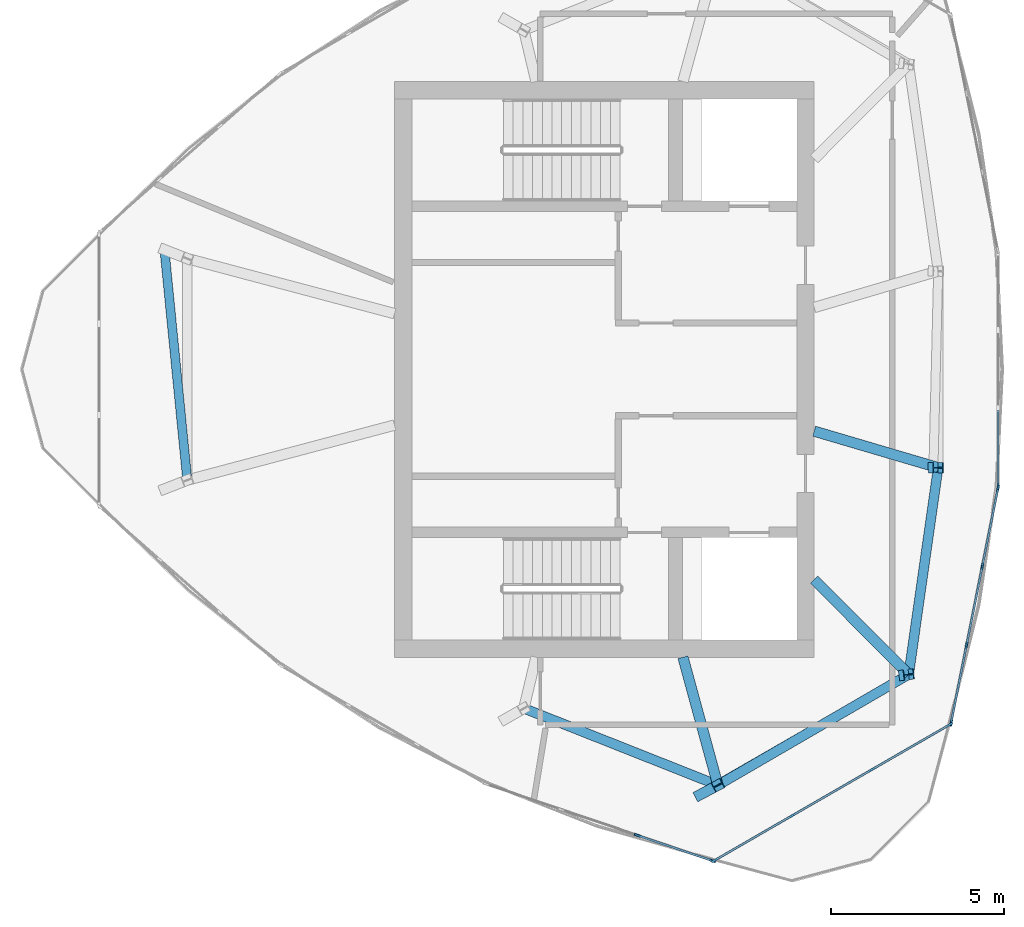
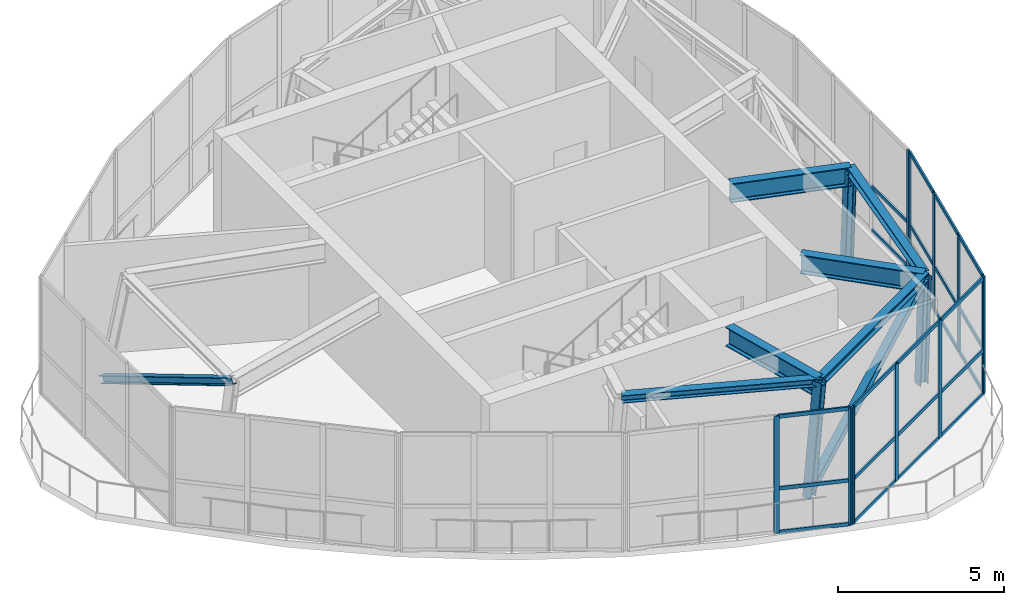
# One storey, part 2 of 9: 42 members, 3 beams, 4 elements without a shape of their own.
"""IFC4 building model written with IfcOpenShell, lengths in metres."""

from ifc_helpers import new_model, si_unit, direction, frame, origin, origin_2d, place, context, subcontext, project, spatial, rectangle, i_section, extrude, source, transform, mapped, material, layer, layer_set, material_profile, profile_set, type_object, element, aggregate, save


model = new_model("IFC4")

# Units and contexts
model_context = context("Model", 3, precision=1e-05, world=origin(), true_north=direction((0.0, 1.0)))
body_context = subcontext(model_context, "Body", "Model", "MODEL_VIEW")
ifc_project = project(units=[si_unit("LENGTHUNIT", "METRE"), si_unit("AREAUNIT", "SQUARE_METRE"), si_unit("VOLUMEUNIT", "CUBIC_METRE"), si_unit("PLANEANGLEUNIT", "RADIAN"), si_unit("MASSUNIT", "GRAM", prefix="KILO")], contexts=[model_context])

# Site, building, storey
site_placement = place(None, origin())
site = spatial("IfcSite", under=ifc_project, at=site_placement, CompositionType="ELEMENT")
building_placement = place(site_placement, origin())
building = spatial("IfcBuilding", under=site, at=building_placement, Name="Qafzar Sky-Pleat Residences", CompositionType="ELEMENT")
storey_placement = place(building_placement, frame((0.0, 0.0, 266.10009765625)))
storey = spatial("IfcBuildingStorey", under=building, at=storey_placement, Name="L79 Crown", CompositionType="ELEMENT", Elevation=266.10009765625)

# Members
ifc_material_1 = material(Name="Steel S460", Category="steel")
ifc_material_profile_1 = material_profile(ifc_material_1, i_section(OverallWidth=0.300048828125, OverallDepth=0.300048828125, WebThickness=0.010986328125, FlangeThickness=0.01904296875, FilletRadius=0.027099609375, at=origin_2d()), Name="HEB 300")
ifc_profile_set_1 = profile_set([ifc_material_profile_1], Name="Steel S460")
member_type_1 = type_object("IfcMemberType", Name="MEM-CROWN-RIB", PredefinedType="CHORD", material=ifc_profile_set_1)
shared_shape_1 = source(origin(), body_context, "Body", "SweptSolid", [
    extrude(i_section(OverallWidth=0.300048828125, OverallDepth=0.300048828125, WebThickness=0.010986328125, FlangeThickness=0.01904296875, FilletRadius=0.027099609375, at=origin_2d()), origin(), (0.0, 0.0, 1.0), 3.898193359375),
])
member_1_placement = place(storey_placement, frame((38.9931640625, 17.187255859375, 0.0), z_axis=(0.033443834759, 0.004133507667, 0.999432050732), x_axis=(-0.122662172065, 0.992448483068, 0.0)))
element("IfcMember", 1, at=member_1_placement, inside=storey, type_object=member_type_1, Name="L79 Crown CROWN FRAME Inclined Rib 6", PredefinedType="CHORD", context=body_context, shape_type="MappedRepresentation", body=[
    mapped(shared_shape_1, transform((0.0, 0.0, 0.0), x_axis=(1.0, 0.0, 0.0), y_axis=(0.0, 1.0, 0.0), z_axis=(0.0, 0.0, 1.0), scale=1.0)),
])
shared_shape_2 = source(origin(), body_context, "Body", "SweptSolid", [
    extrude(i_section(OverallWidth=0.300048828125, OverallDepth=0.300048828125, WebThickness=0.010986328125, FlangeThickness=0.01904296875, FilletRadius=0.027099609375, at=origin_2d()), origin(), (0.0, 0.0, 1.0), 3.8984375),
])
member_2_placement = place(storey_placement, frame((39.837158203125, 23.1640625, 0.0), z_axis=(0.03500797869, 0.0003131304, 0.999386983794), x_axis=(-0.008944186046, 0.999959999968, 0.0)))
element("IfcMember", 2, at=member_2_placement, inside=storey, type_object=member_type_1, Name="L79 Crown CROWN FRAME Inclined Rib 7", PredefinedType="CHORD", context=body_context, shape_type="MappedRepresentation", body=[
    mapped(shared_shape_2, transform((0.0, 0.0, 0.0), x_axis=(1.0, 0.0, 0.0), y_axis=(0.0, 1.0, 0.0), z_axis=(0.0, 0.0, 1.0), scale=1.0)),
])
shared_shape_3 = source(origin(), body_context, "Body", "SweptSolid", [
    extrude(i_section(OverallWidth=0.300048828125, OverallDepth=0.300048828125, WebThickness=0.010986328125, FlangeThickness=0.01904296875, FilletRadius=0.027099609375, at=origin_2d()), origin(), (0.0, 0.0, 1.0), 3.940185546875),
])
member_3_placement = place(storey_placement, frame((33.10400390625, 13.734375, 0.0), z_axis=(0.13191647967, 0.070016731812, 0.988784961282), x_axis=(-0.468821513928, 0.883292923145, 0.0)))
element("IfcMember", 3, at=member_3_placement, inside=storey, type_object=member_type_1, Name="L79 Crown CROWN FRAME Inclined Rib 5", PredefinedType="CHORD", context=body_context, shape_type="MappedRepresentation", body=[
    mapped(shared_shape_3, transform((0.0, 0.0, 0.0), x_axis=(1.0, 0.0, 0.0), y_axis=(0.0, 1.0, 0.0), z_axis=(0.0, 0.0, 1.0), scale=1.0)),
])
ifc_material_2 = material(Name="Steel S355", Category="steel")
ifc_material_profile_2 = material_profile(ifc_material_2, i_section(OverallWidth=0.260009765625, OverallDepth=0.260009765625, WebThickness=0.010009765625, FlangeThickness=0.017578125, FilletRadius=0.02392578125, at=origin_2d()), Name="HEB 260")
ifc_profile_set_2 = profile_set([ifc_material_profile_2], Name="Steel S355")
member_type_2 = type_object("IfcMemberType", Name="MEM-CROWN-DIAG", PredefinedType="BRACE", material=ifc_profile_set_2)
shared_shape_4 = source(origin(), body_context, "Body", "SweptSolid", [
    extrude(i_section(OverallWidth=0.260009765625, OverallDepth=0.260009765625, WebThickness=0.010009765625, FlangeThickness=0.017578125, FilletRadius=0.02392578125, at=origin_2d()), origin(), (0.0, 0.0, 1.0), 7.638916015625),
])
member_4_placement = place(storey_placement, frame((17.668212890625, 29.448974609375, 0.199951171875), z_axis=(0.086100873156, -0.869446233607, 0.486466737308), x_axis=(0.995132346822, 0.098547512952, 0.0)))
element("IfcMember", 4, at=member_4_placement, inside=storey, type_object=member_type_2, Name="L79 Crown CROWN FRAME Wind Brace 1", PredefinedType="BRACE", context=body_context, shape_type="MappedRepresentation", body=[
    mapped(shared_shape_4, transform((0.0, 0.0, 0.0), x_axis=(1.0, 0.0, 0.0), y_axis=(0.0, 1.0, 0.0), z_axis=(0.0, 0.0, 1.0), scale=1.0)),
])
ifc_material_profile_3 = material_profile(ifc_material_2, i_section(OverallWidth=0.280029296875, OverallDepth=0.280029296875, WebThickness=0.010498046875, FlangeThickness=0.01806640625, FilletRadius=0.02392578125, at=origin_2d()), Name="HEB 280")
ifc_profile_set_3 = profile_set([ifc_material_profile_3], Name="Steel S355")
member_type_3 = type_object("IfcMemberType", Name="MEM-CROWN-RING", PredefinedType="PURLIN", material=ifc_profile_set_3)
shared_shape_5 = source(origin(), body_context, "Body", "SweptSolid", [
    extrude(i_section(OverallWidth=0.280029296875, OverallDepth=0.280029296875, WebThickness=0.010498046875, FlangeThickness=0.01806640625, FilletRadius=0.02392578125, at=origin_2d()), origin(), (0.0, 0.0, 1.0), 6.017333984375),
])
member_5_placement = place(storey_placement, frame((28.029541015625, 16.226806640625, 3.906005859375), z_axis=(0.929683335589, -0.368359736572, 0.0), x_axis=(0.368359736572, 0.929683335589, 0.0)))
element("IfcMember", 5, at=member_5_placement, inside=storey, type_object=member_type_3, Name="L79 Crown CROWN FRAME Ring Beam 4", PredefinedType="PURLIN", context=body_context, shape_type="MappedRepresentation", body=[
    mapped(shared_shape_5, transform((0.0, 0.0, 0.0), x_axis=(1.0, 0.0, 0.0), y_axis=(0.0, 1.0, 0.0), z_axis=(0.0, 0.0, 1.0), scale=1.0)),
])
shared_shape_6 = source(origin(), body_context, "Body", "SweptSolid", [
    extrude(i_section(OverallWidth=0.280029296875, OverallDepth=0.280029296875, WebThickness=0.010498046875, FlangeThickness=0.01806640625, FilletRadius=0.02392578125, at=origin_2d()), origin(), (0.0, 0.0, 1.0), 6.359619140625),
])
member_6_placement = place(storey_placement, frame((33.623779296875, 14.01025390625, 3.906005859375), z_axis=(0.864808842943, 0.502101249916, 0.0), x_axis=(-0.502101249916, 0.864808842943, 0.0)))
element("IfcMember", 6, at=member_6_placement, inside=storey, type_object=member_type_3, Name="L79 Crown CROWN FRAME Ring Beam 5", PredefinedType="PURLIN", context=body_context, shape_type="MappedRepresentation", body=[
    mapped(shared_shape_6, transform((0.0, 0.0, 0.0), x_axis=(1.0, 0.0, 0.0), y_axis=(0.0, 1.0, 0.0), z_axis=(0.0, 0.0, 1.0), scale=1.0)),
])
shared_shape_7 = source(origin(), body_context, "Body", "SweptSolid", [
    extrude(i_section(OverallWidth=0.260009765625, OverallDepth=0.260009765625, WebThickness=0.010009765625, FlangeThickness=0.017578125, FilletRadius=0.02392578125, at=origin_2d()), origin(), (0.0, 0.0, 1.0), 7.87890625),
])
member_7_placement = place(storey_placement, frame((33.10400390625, 13.734375, 0.199951171875), z_axis=(0.76400196101, 0.440286496755, 0.471644786199), x_axis=(-0.49931069602, 0.866423008028, 0.0)))
element("IfcMember", 7, at=member_7_placement, inside=storey, type_object=member_type_2, Name="L79 Crown CROWN FRAME Wind Brace 5", PredefinedType="BRACE", context=body_context, shape_type="MappedRepresentation", body=[
    mapped(shared_shape_7, transform((0.0, 0.0, 0.0), x_axis=(1.0, 0.0, 0.0), y_axis=(0.0, 1.0, 0.0), z_axis=(0.0, 0.0, 1.0), scale=1.0)),
])
shared_shape_8 = source(origin(), body_context, "Body", "SweptSolid", [
    extrude(i_section(OverallWidth=0.280029296875, OverallDepth=0.280029296875, WebThickness=0.010498046875, FlangeThickness=0.01806640625, FilletRadius=0.02392578125, at=origin_2d()), origin(), (0.0, 0.0, 1.0), 6.022216796875),
])
member_8_placement = place(storey_placement, frame((39.12353515625, 17.203369140625, 3.906005859375), z_axis=(0.141160273731, 0.989986756033, 0.0), x_axis=(-0.989986756033, 0.141160273731, 0.0)))
element("IfcMember", 8, at=member_8_placement, inside=storey, type_object=member_type_3, Name="L79 Crown CROWN FRAME Ring Beam 6", PredefinedType="PURLIN", context=body_context, shape_type="MappedRepresentation", body=[
    mapped(shared_shape_8, transform((0.0, 0.0, 0.0), x_axis=(1.0, 0.0, 0.0), y_axis=(0.0, 1.0, 0.0), z_axis=(0.0, 0.0, 1.0), scale=1.0)),
])

# Beams
ifc_material_profile_4 = material_profile(ifc_material_1, i_section(OverallWidth=0.300048828125, OverallDepth=0.699951171875, WebThickness=0.01708984375, FlangeThickness=0.031982421875, FilletRadius=0.027099609375, at=origin_2d()), Name="HEB 700")
ifc_profile_set_4 = profile_set([ifc_material_profile_4], Name="Steel S460")
beam_type = type_object("IfcBeamType", Name="BM-CHORD-HEB700", PredefinedType="BEAM", material=ifc_profile_set_4)
shared_shape_9 = source(origin(), body_context, "Body", "SweptSolid", [
    extrude(i_section(OverallWidth=0.300048828125, OverallDepth=0.699951171875, WebThickness=0.01708984375, FlangeThickness=0.031982421875, FilletRadius=0.027099609375, at=origin_2d()), origin(), (0.0, 0.0, 1.0), 3.82470703125),
])
beam_1_placement = place(storey_placement, frame((33.623779296875, 14.01025390625, 3.697998046875), z_axis=(-0.263430654969, 0.964678335002, 0.0), x_axis=(-0.964678335002, -0.263430654969, 0.0)))
element("IfcBeam", 9, at=beam_1_placement, inside=storey, type_object=beam_type, Name="L80 Crown Crown Rib Base Transfer Beam 5", PredefinedType="BEAM", context=body_context, shape_type="MappedRepresentation", body=[
    mapped(shared_shape_9, transform((0.0, 0.0, 0.0), x_axis=(1.0, 0.0, 0.0), y_axis=(0.0, 1.0, 0.0), z_axis=(0.0, 0.0, 1.0), scale=1.0)),
])
shared_shape_10 = source(origin(), body_context, "Body", "SweptSolid", [
    extrude(i_section(OverallWidth=0.300048828125, OverallDepth=0.699951171875, WebThickness=0.01708984375, FlangeThickness=0.031982421875, FilletRadius=0.027099609375, at=origin_2d()), origin(), (0.0, 0.0, 1.0), 3.856689453125),
])
beam_2_placement = place(storey_placement, frame((39.12353515625, 17.203369140625, 3.697998046875), z_axis=(-0.706188317892, 0.708024053032, 0.0), x_axis=(-0.708024053032, -0.706188317892, 0.0)))
element("IfcBeam", 10, at=beam_2_placement, inside=storey, type_object=beam_type, Name="L80 Crown Crown Rib Base Transfer Beam 6", PredefinedType="BEAM", context=body_context, shape_type="MappedRepresentation", body=[
    mapped(shared_shape_10, transform((0.0, 0.0, 0.0), x_axis=(1.0, 0.0, 0.0), y_axis=(0.0, 1.0, 0.0), z_axis=(0.0, 0.0, 1.0), scale=1.0)),
])
shared_shape_11 = source(origin(), body_context, "Body", "SweptSolid", [
    extrude(i_section(OverallWidth=0.300048828125, OverallDepth=0.699951171875, WebThickness=0.01708984375, FlangeThickness=0.031982421875, FilletRadius=0.027099609375, at=origin_2d()), origin(), (0.0, 0.0, 1.0), 3.7255859375),
])
beam_3_placement = place(storey_placement, frame((39.9736328125, 23.165283203125, 3.697998046875), z_axis=(-0.95924645831, 0.28257075613, 0.0), x_axis=(-0.28257075613, -0.95924645831, 0.0)))
element("IfcBeam", 11, at=beam_3_placement, inside=storey, type_object=beam_type, Name="L80 Crown Crown Rib Base Transfer Beam 7", PredefinedType="BEAM", context=body_context, shape_type="MappedRepresentation", body=[
    mapped(shared_shape_11, transform((0.0, 0.0, 0.0), x_axis=(1.0, 0.0, 0.0), y_axis=(0.0, 1.0, 0.0), z_axis=(0.0, 0.0, 1.0), scale=1.0)),
])

# Curtain wall, members
ifc_material_3 = material(Name="Anodised bronze aluminium framing", Category="aluminium")
ifc_layer = layer(ifc_material_3, 0.179931640625)
ifc_layer_set = layer_set([ifc_layer], Name="Anodised bronze aluminium framing")
curtain_wall_type = type_object("IfcCurtainWallType", Name="CW-SYS-06", PredefinedType="NOTDEFINED", material=ifc_layer_set)
curtain_wall_1_placement = place(storey_placement, origin())
curtain_wall_1 = element("IfcCurtainWall", 12, at=curtain_wall_1_placement, inside=storey, type_object=curtain_wall_type, Name="L79 Crown CW-06 Curtain Wall CW-CROWN-04-04", PredefinedType="NOTDEFINED")
ifc_material_4 = material(Name="Anodised bronze aluminium", Category="aluminium")
ifc_material_profile_5 = material_profile(ifc_material_4, rectangle(XDim=0.06005859375, YDim=0.179931640625, at=origin_2d()), Name="ALU MULLION 60x180")
ifc_profile_set_5 = profile_set([ifc_material_profile_5], Name="Anodised bronze aluminium")
member_type_4 = type_object("IfcMemberType", Name="CWM-06", PredefinedType="MULLION", material=ifc_profile_set_5)
shared_shape_12 = source(origin(), body_context, "Body", "SweptSolid", [
    extrude(rectangle(XDim=0.06005859375, YDim=0.179931640625, at=origin_2d()), origin(), (0.0, 0.0, 1.0), 4.2998046875),
])
member_9_placement = place(storey_placement, frame((31.299072265625, 12.56640625, 0.0), z_axis=(0.0, 0.0, 1.0), x_axis=(0.320445261328, 0.947267034417, 0.0)))
member_9 = element("IfcMember", 13, at=member_9_placement, type_object=member_type_4, Name="CW-06 mullion 3", PredefinedType="MULLION", context=body_context, shape_type="MappedRepresentation", body=[
    mapped(shared_shape_12, transform((0.0, 0.0, 0.0), x_axis=(1.0, 0.0, 0.0), y_axis=(0.0, 1.0, 0.0), z_axis=(0.0, 0.0, 1.0), scale=1.0)),
])
member_10_placement = place(storey_placement, frame((33.465576171875, 11.83349609375, 0.0), z_axis=(0.0, 0.0, 1.0), x_axis=(0.320445261328, 0.947267034417, 0.0)))
member_10 = element("IfcMember", 14, at=member_10_placement, type_object=member_type_4, Name="CW-06 mullion 4", PredefinedType="MULLION", context=body_context, shape_type="MappedRepresentation", body=[
    mapped(shared_shape_12, transform((0.0, 0.0, 0.0), x_axis=(1.0, 0.0, 0.0), y_axis=(0.0, 1.0, 0.0), z_axis=(0.0, 0.0, 1.0), scale=1.0)),
])

curtain_wall_2_placement = place(storey_placement, origin())
curtain_wall_2 = element("IfcCurtainWall", 15, at=curtain_wall_2_placement, inside=storey, type_object=curtain_wall_type, Name="L79 Crown CW-06 Curtain Wall CW-CROWN-04-05", PredefinedType="NOTDEFINED")
member_11_placement = place(storey_placement, frame((33.52001953125, 11.8388671875, 0.0), z_axis=(0.0, 0.0, 1.0), x_axis=(-0.500001400555, 0.866024595172, 0.0)))
member_11 = element("IfcMember", 16, at=member_11_placement, type_object=member_type_4, Name="CW-06 mullion 1", PredefinedType="MULLION", context=body_context, shape_type="MappedRepresentation", body=[
    mapped(shared_shape_12, transform((0.0, 0.0, 0.0), x_axis=(1.0, 0.0, 0.0), y_axis=(0.0, 1.0, 0.0), z_axis=(0.0, 0.0, 1.0), scale=1.0)),
])
member_12_placement = place(storey_placement, frame((35.775390625, 13.140869140625, 0.0), z_axis=(0.0, 0.0, 1.0), x_axis=(-0.500001400555, 0.866024595172, 0.0)))
member_12 = element("IfcMember", 17, at=member_12_placement, type_object=member_type_4, Name="CW-06 mullion 2", PredefinedType="MULLION", context=body_context, shape_type="MappedRepresentation", body=[
    mapped(shared_shape_12, transform((0.0, 0.0, 0.0), x_axis=(1.0, 0.0, 0.0), y_axis=(0.0, 1.0, 0.0), z_axis=(0.0, 0.0, 1.0), scale=1.0)),
])
member_13_placement = place(storey_placement, frame((38.056640625, 14.4580078125, 0.0), z_axis=(0.0, 0.0, 1.0), x_axis=(-0.500001400555, 0.866024595172, 0.0)))
member_13 = element("IfcMember", 18, at=member_13_placement, type_object=member_type_4, Name="CW-06 mullion 3", PredefinedType="MULLION", context=body_context, shape_type="MappedRepresentation", body=[
    mapped(shared_shape_12, transform((0.0, 0.0, 0.0), x_axis=(1.0, 0.0, 0.0), y_axis=(0.0, 1.0, 0.0), z_axis=(0.0, 0.0, 1.0), scale=1.0)),
])
member_14_placement = place(storey_placement, frame((40.31201171875, 15.76025390625, 0.0), z_axis=(0.0, 0.0, 1.0), x_axis=(-0.500001400555, 0.866024595172, 0.0)))
member_14 = element("IfcMember", 19, at=member_14_placement, type_object=member_type_4, Name="CW-06 mullion 4", PredefinedType="MULLION", context=body_context, shape_type="MappedRepresentation", body=[
    mapped(shared_shape_12, transform((0.0, 0.0, 0.0), x_axis=(1.0, 0.0, 0.0), y_axis=(0.0, 1.0, 0.0), z_axis=(0.0, 0.0, 1.0), scale=1.0)),
])

curtain_wall_3_placement = place(storey_placement, origin())
curtain_wall_3 = element("IfcCurtainWall", 20, at=curtain_wall_3_placement, inside=storey, type_object=curtain_wall_type, Name="L79 Crown CW-06 Curtain Wall CW-CROWN-04-06", PredefinedType="NOTDEFINED")
member_15_placement = place(storey_placement, frame((40.343994140625, 15.8046875, 0.0), z_axis=(0.0, 0.0, 1.0), x_axis=(-0.980580675691, 0.196116135138, 0.0)))
member_15 = element("IfcMember", 21, at=member_15_placement, type_object=member_type_4, Name="CW-06 mullion 1", PredefinedType="MULLION", context=body_context, shape_type="MappedRepresentation", body=[
    mapped(shared_shape_12, transform((0.0, 0.0, 0.0), x_axis=(1.0, 0.0, 0.0), y_axis=(0.0, 1.0, 0.0), z_axis=(0.0, 0.0, 1.0), scale=1.0)),
])
member_16_placement = place(storey_placement, frame((40.79248046875, 18.04736328125, 0.0), z_axis=(0.0, 0.0, 1.0), x_axis=(-0.980580675691, 0.196116135138, 0.0)))
member_16 = element("IfcMember", 22, at=member_16_placement, type_object=member_type_4, Name="CW-06 mullion 2", PredefinedType="MULLION", context=body_context, shape_type="MappedRepresentation", body=[
    mapped(shared_shape_12, transform((0.0, 0.0, 0.0), x_axis=(1.0, 0.0, 0.0), y_axis=(0.0, 1.0, 0.0), z_axis=(0.0, 0.0, 1.0), scale=1.0)),
])
member_17_placement = place(storey_placement, frame((41.246826171875, 20.319580078125, 0.0), z_axis=(0.0, 0.0, 1.0), x_axis=(-0.980580675691, 0.196116135138, 0.0)))
member_17 = element("IfcMember", 23, at=member_17_placement, type_object=member_type_4, Name="CW-06 mullion 3", PredefinedType="MULLION", context=body_context, shape_type="MappedRepresentation", body=[
    mapped(shared_shape_12, transform((0.0, 0.0, 0.0), x_axis=(1.0, 0.0, 0.0), y_axis=(0.0, 1.0, 0.0), z_axis=(0.0, 0.0, 1.0), scale=1.0)),
])
member_18_placement = place(storey_placement, frame((41.6953125, 22.562255859375, 0.0), z_axis=(0.0, 0.0, 1.0), x_axis=(-0.980580675691, 0.196116135138, 0.0)))
member_18 = element("IfcMember", 24, at=member_18_placement, type_object=member_type_4, Name="CW-06 mullion 4", PredefinedType="MULLION", context=body_context, shape_type="MappedRepresentation", body=[
    mapped(shared_shape_12, transform((0.0, 0.0, 0.0), x_axis=(1.0, 0.0, 0.0), y_axis=(0.0, 1.0, 0.0), z_axis=(0.0, 0.0, 1.0), scale=1.0)),
])

# Curtain wall, member
curtain_wall_4_placement = place(storey_placement, origin())
curtain_wall_4 = element("IfcCurtainWall", 25, at=curtain_wall_4_placement, inside=storey, type_object=curtain_wall_type, Name="L79 Crown CW-06 Curtain Wall CW-CROWN-04-07", PredefinedType="NOTDEFINED")
member_19_placement = place(storey_placement, frame((41.701416015625, 22.62158203125, 0.0), z_axis=(0.0, 0.0, 1.0), x_axis=(-1.0, 0.0, 0.0)))
member_19 = element("IfcMember", 26, at=member_19_placement, type_object=member_type_4, Name="CW-06 mullion 1", PredefinedType="MULLION", context=body_context, shape_type="MappedRepresentation", body=[
    mapped(shared_shape_12, transform((0.0, 0.0, 0.0), x_axis=(1.0, 0.0, 0.0), y_axis=(0.0, 1.0, 0.0), z_axis=(0.0, 0.0, 1.0), scale=1.0)),
])

# Member
ifc_material_profile_6 = material_profile(ifc_material_4, rectangle(XDim=0.06005859375, YDim=0.135009765625, at=origin_2d()), Name="ALU TRANSOM 60x135")
ifc_profile_set_6 = profile_set([ifc_material_profile_6], Name="Anodised bronze aluminium")
member_type_5 = type_object("IfcMemberType", Name="CWT-06", PredefinedType="USERDEFINED", material=ifc_profile_set_6)
shared_shape_13 = source(origin(), body_context, "Body", "SweptSolid", [
    extrude(rectangle(XDim=0.06005859375, YDim=0.135009765625, at=origin_2d()), origin(), (0.0, 0.0, 1.0), 2.544189453125),
])
member_20_placement = place(storey_placement, frame((33.5458984375, 11.853759765625, 0.02978515625), z_axis=(0.866008208854, 0.500029781311, 0.0), x_axis=(-0.500029781311, 0.866008208854, 0.0)))
member_20 = element("IfcMember", 27, at=member_20_placement, type_object=member_type_5, Name="CW-06 transom 1.1", ObjectType="TRANSOM", PredefinedType="USERDEFINED", context=body_context, shape_type="MappedRepresentation", body=[
    mapped(shared_shape_13, transform((0.0, 0.0, 0.0), x_axis=(1.0, 0.0, 0.0), y_axis=(0.0, 1.0, 0.0), z_axis=(0.0, 0.0, 1.0), scale=1.0)),
])

member_21_placement = place(storey_placement, frame((33.5458984375, 11.853759765625, 1.6337890625), z_axis=(0.866008208854, 0.500029781311, 0.0), x_axis=(-0.500029781311, 0.866008208854, 0.0)))
member_21 = element("IfcMember", 28, at=member_21_placement, type_object=member_type_5, Name="CW-06 transom 1.2", ObjectType="TRANSOM", PredefinedType="USERDEFINED", context=body_context, shape_type="MappedRepresentation", body=[
    mapped(shared_shape_13, transform((0.0, 0.0, 0.0), x_axis=(1.0, 0.0, 0.0), y_axis=(0.0, 1.0, 0.0), z_axis=(0.0, 0.0, 1.0), scale=1.0)),
])

member_22_placement = place(storey_placement, frame((33.5458984375, 11.853759765625, 4.27001953125), z_axis=(0.866008208854, 0.500029781311, 0.0), x_axis=(-0.500029781311, 0.866008208854, 0.0)))
member_22 = element("IfcMember", 29, at=member_22_placement, type_object=member_type_5, Name="CW-06 transom 1.3", ObjectType="TRANSOM", PredefinedType="USERDEFINED", context=body_context, shape_type="MappedRepresentation", body=[
    mapped(shared_shape_13, transform((0.0, 0.0, 0.0), x_axis=(1.0, 0.0, 0.0), y_axis=(0.0, 1.0, 0.0), z_axis=(0.0, 0.0, 1.0), scale=1.0)),
])

member_23_placement = place(storey_placement, frame((38.082763671875, 14.47314453125, 0.02978515625), z_axis=(0.866049759928, 0.499957811549, 0.0), x_axis=(-0.499957811549, 0.866049759928, 0.0)))
member_23 = element("IfcMember", 30, at=member_23_placement, type_object=member_type_5, Name="CW-06 transom 3.1", ObjectType="TRANSOM", PredefinedType="USERDEFINED", context=body_context, shape_type="MappedRepresentation", body=[
    mapped(shared_shape_13, transform((0.0, 0.0, 0.0), x_axis=(1.0, 0.0, 0.0), y_axis=(0.0, 1.0, 0.0), z_axis=(0.0, 0.0, 1.0), scale=1.0)),
])

member_24_placement = place(storey_placement, frame((38.082763671875, 14.47314453125, 1.6337890625), z_axis=(0.866049759928, 0.499957811549, 0.0), x_axis=(-0.499957811549, 0.866049759928, 0.0)))
member_24 = element("IfcMember", 31, at=member_24_placement, type_object=member_type_5, Name="CW-06 transom 3.2", ObjectType="TRANSOM", PredefinedType="USERDEFINED", context=body_context, shape_type="MappedRepresentation", body=[
    mapped(shared_shape_13, transform((0.0, 0.0, 0.0), x_axis=(1.0, 0.0, 0.0), y_axis=(0.0, 1.0, 0.0), z_axis=(0.0, 0.0, 1.0), scale=1.0)),
])

member_25_placement = place(storey_placement, frame((38.082763671875, 14.47314453125, 4.27001953125), z_axis=(0.866049759928, 0.499957811549, 0.0), x_axis=(-0.499957811549, 0.866049759928, 0.0)))
member_25 = element("IfcMember", 32, at=member_25_placement, type_object=member_type_5, Name="CW-06 transom 3.3", ObjectType="TRANSOM", PredefinedType="USERDEFINED", context=body_context, shape_type="MappedRepresentation", body=[
    mapped(shared_shape_13, transform((0.0, 0.0, 0.0), x_axis=(1.0, 0.0, 0.0), y_axis=(0.0, 1.0, 0.0), z_axis=(0.0, 0.0, 1.0), scale=1.0)),
])

shared_shape_14 = source(origin(), body_context, "Body", "SweptSolid", [
    extrude(rectangle(XDim=0.06005859375, YDim=0.135009765625, at=origin_2d()), origin(), (0.0, 0.0, 1.0), 2.227294921875),
])
member_26_placement = place(storey_placement, frame((31.327392578125, 12.556640625, 0.02978515625), z_axis=(0.947282011009, -0.320400985672, 0.0), x_axis=(0.320400985672, 0.947282011009, 0.0)))
member_26 = element("IfcMember", 33, at=member_26_placement, type_object=member_type_5, Name="CW-06 transom 3.1", ObjectType="TRANSOM", PredefinedType="USERDEFINED", context=body_context, shape_type="MappedRepresentation", body=[
    mapped(shared_shape_14, transform((0.0, 0.0, 0.0), x_axis=(1.0, 0.0, 0.0), y_axis=(0.0, 1.0, 0.0), z_axis=(0.0, 0.0, 1.0), scale=1.0)),
])

member_27_placement = place(storey_placement, frame((31.327392578125, 12.556640625, 1.6337890625), z_axis=(0.947282011009, -0.320400985672, 0.0), x_axis=(0.320400985672, 0.947282011009, 0.0)))
member_27 = element("IfcMember", 34, at=member_27_placement, type_object=member_type_5, Name="CW-06 transom 3.2", ObjectType="TRANSOM", PredefinedType="USERDEFINED", context=body_context, shape_type="MappedRepresentation", body=[
    mapped(shared_shape_14, transform((0.0, 0.0, 0.0), x_axis=(1.0, 0.0, 0.0), y_axis=(0.0, 1.0, 0.0), z_axis=(0.0, 0.0, 1.0), scale=1.0)),
])

member_28_placement = place(storey_placement, frame((31.327392578125, 12.556640625, 4.27001953125), z_axis=(0.947282011009, -0.320400985672, 0.0), x_axis=(0.320400985672, 0.947282011009, 0.0)))
member_28 = element("IfcMember", 35, at=member_28_placement, type_object=member_type_5, Name="CW-06 transom 3.3", ObjectType="TRANSOM", PredefinedType="USERDEFINED", context=body_context, shape_type="MappedRepresentation", body=[
    mapped(shared_shape_14, transform((0.0, 0.0, 0.0), x_axis=(1.0, 0.0, 0.0), y_axis=(0.0, 1.0, 0.0), z_axis=(0.0, 0.0, 1.0), scale=1.0)),
])

aggregate(curtain_wall_1, [member_9, member_10, member_26, member_27, member_28])

member_29_placement = place(storey_placement, frame((40.349853515625, 15.833984375, 0.02978515625), z_axis=(0.196095055949, 0.980584891293, 0.0), x_axis=(-0.980584891293, 0.196095055949, 0.0)))
member_29 = element("IfcMember", 36, at=member_29_placement, type_object=member_type_5, Name="CW-06 transom 1.1", ObjectType="TRANSOM", PredefinedType="USERDEFINED", context=body_context, shape_type="MappedRepresentation", body=[
    mapped(shared_shape_14, transform((0.0, 0.0, 0.0), x_axis=(1.0, 0.0, 0.0), y_axis=(0.0, 1.0, 0.0), z_axis=(0.0, 0.0, 1.0), scale=1.0)),
])

member_30_placement = place(storey_placement, frame((40.349853515625, 15.833984375, 1.6337890625), z_axis=(0.196095055949, 0.980584891293, 0.0), x_axis=(-0.980584891293, 0.196095055949, 0.0)))
member_30 = element("IfcMember", 37, at=member_30_placement, type_object=member_type_5, Name="CW-06 transom 1.2", ObjectType="TRANSOM", PredefinedType="USERDEFINED", context=body_context, shape_type="MappedRepresentation", body=[
    mapped(shared_shape_14, transform((0.0, 0.0, 0.0), x_axis=(1.0, 0.0, 0.0), y_axis=(0.0, 1.0, 0.0), z_axis=(0.0, 0.0, 1.0), scale=1.0)),
])

member_31_placement = place(storey_placement, frame((40.349853515625, 15.833984375, 4.27001953125), z_axis=(0.196095055949, 0.980584891293, 0.0), x_axis=(-0.980584891293, 0.196095055949, 0.0)))
member_31 = element("IfcMember", 38, at=member_31_placement, type_object=member_type_5, Name="CW-06 transom 1.3", ObjectType="TRANSOM", PredefinedType="USERDEFINED", context=body_context, shape_type="MappedRepresentation", body=[
    mapped(shared_shape_14, transform((0.0, 0.0, 0.0), x_axis=(1.0, 0.0, 0.0), y_axis=(0.0, 1.0, 0.0), z_axis=(0.0, 0.0, 1.0), scale=1.0)),
])

member_32_placement = place(storey_placement, frame((41.252685546875, 20.348876953125, 0.02978515625), z_axis=(0.196095055949, 0.980584891293, 0.0), x_axis=(-0.980584891293, 0.196095055949, 0.0)))
member_32 = element("IfcMember", 39, at=member_32_placement, type_object=member_type_5, Name="CW-06 transom 3.1", ObjectType="TRANSOM", PredefinedType="USERDEFINED", context=body_context, shape_type="MappedRepresentation", body=[
    mapped(shared_shape_14, transform((0.0, 0.0, 0.0), x_axis=(1.0, 0.0, 0.0), y_axis=(0.0, 1.0, 0.0), z_axis=(0.0, 0.0, 1.0), scale=1.0)),
])

member_33_placement = place(storey_placement, frame((41.252685546875, 20.348876953125, 1.6337890625), z_axis=(0.196095055949, 0.980584891293, 0.0), x_axis=(-0.980584891293, 0.196095055949, 0.0)))
member_33 = element("IfcMember", 40, at=member_33_placement, type_object=member_type_5, Name="CW-06 transom 3.2", ObjectType="TRANSOM", PredefinedType="USERDEFINED", context=body_context, shape_type="MappedRepresentation", body=[
    mapped(shared_shape_14, transform((0.0, 0.0, 0.0), x_axis=(1.0, 0.0, 0.0), y_axis=(0.0, 1.0, 0.0), z_axis=(0.0, 0.0, 1.0), scale=1.0)),
])

member_34_placement = place(storey_placement, frame((41.252685546875, 20.348876953125, 4.27001953125), z_axis=(0.196095055949, 0.980584891293, 0.0), x_axis=(-0.980584891293, 0.196095055949, 0.0)))
member_34 = element("IfcMember", 41, at=member_34_placement, type_object=member_type_5, Name="CW-06 transom 3.3", ObjectType="TRANSOM", PredefinedType="USERDEFINED", context=body_context, shape_type="MappedRepresentation", body=[
    mapped(shared_shape_14, transform((0.0, 0.0, 0.0), x_axis=(1.0, 0.0, 0.0), y_axis=(0.0, 1.0, 0.0), z_axis=(0.0, 0.0, 1.0), scale=1.0)),
])

shared_shape_15 = source(origin(), body_context, "Body", "SweptSolid", [
    extrude(rectangle(XDim=0.06005859375, YDim=0.135009765625, at=origin_2d()), origin(), (0.0, 0.0, 1.0), 2.574462890625),
])
member_35_placement = place(storey_placement, frame((35.80126953125, 13.156005859375, 0.02978515625), z_axis=(0.866040295995, 0.499974205047, 0.0), x_axis=(-0.499974205047, 0.866040295995, 0.0)))
member_35 = element("IfcMember", 42, at=member_35_placement, type_object=member_type_5, Name="CW-06 transom 2.1", ObjectType="TRANSOM", PredefinedType="USERDEFINED", context=body_context, shape_type="MappedRepresentation", body=[
    mapped(shared_shape_15, transform((0.0, 0.0, 0.0), x_axis=(1.0, 0.0, 0.0), y_axis=(0.0, 1.0, 0.0), z_axis=(0.0, 0.0, 1.0), scale=1.0)),
])

member_36_placement = place(storey_placement, frame((35.80126953125, 13.156005859375, 1.6337890625), z_axis=(0.866040295995, 0.499974205047, 0.0), x_axis=(-0.499974205047, 0.866040295995, 0.0)))
member_36 = element("IfcMember", 43, at=member_36_placement, type_object=member_type_5, Name="CW-06 transom 2.2", ObjectType="TRANSOM", PredefinedType="USERDEFINED", context=body_context, shape_type="MappedRepresentation", body=[
    mapped(shared_shape_15, transform((0.0, 0.0, 0.0), x_axis=(1.0, 0.0, 0.0), y_axis=(0.0, 1.0, 0.0), z_axis=(0.0, 0.0, 1.0), scale=1.0)),
])

member_37_placement = place(storey_placement, frame((35.80126953125, 13.156005859375, 4.27001953125), z_axis=(0.866040295995, 0.499974205047, 0.0), x_axis=(-0.499974205047, 0.866040295995, 0.0)))
member_37 = element("IfcMember", 44, at=member_37_placement, type_object=member_type_5, Name="CW-06 transom 2.3", ObjectType="TRANSOM", PredefinedType="USERDEFINED", context=body_context, shape_type="MappedRepresentation", body=[
    mapped(shared_shape_15, transform((0.0, 0.0, 0.0), x_axis=(1.0, 0.0, 0.0), y_axis=(0.0, 1.0, 0.0), z_axis=(0.0, 0.0, 1.0), scale=1.0)),
])

aggregate(curtain_wall_2, [member_11, member_12, member_13, member_14, member_20, member_21, member_22, member_35, member_36, member_37, member_23, member_24, member_25])

shared_shape_16 = source(origin(), body_context, "Body", "SweptSolid", [
    extrude(rectangle(XDim=0.06005859375, YDim=0.135009765625, at=origin_2d()), origin(), (0.0, 0.0, 1.0), 2.257080078125),
])
member_38_placement = place(storey_placement, frame((40.79833984375, 18.076904296875, 0.02978515625), z_axis=(0.196116135138, 0.980580675691, 0.0), x_axis=(-0.980580675691, 0.196116135138, 0.0)))
member_38 = element("IfcMember", 45, at=member_38_placement, type_object=member_type_5, Name="CW-06 transom 2.1", ObjectType="TRANSOM", PredefinedType="USERDEFINED", context=body_context, shape_type="MappedRepresentation", body=[
    mapped(shared_shape_16, transform((0.0, 0.0, 0.0), x_axis=(1.0, 0.0, 0.0), y_axis=(0.0, 1.0, 0.0), z_axis=(0.0, 0.0, 1.0), scale=1.0)),
])

member_39_placement = place(storey_placement, frame((40.79833984375, 18.076904296875, 1.6337890625), z_axis=(0.196116135138, 0.980580675691, 0.0), x_axis=(-0.980580675691, 0.196116135138, 0.0)))
member_39 = element("IfcMember", 46, at=member_39_placement, type_object=member_type_5, Name="CW-06 transom 2.2", ObjectType="TRANSOM", PredefinedType="USERDEFINED", context=body_context, shape_type="MappedRepresentation", body=[
    mapped(shared_shape_16, transform((0.0, 0.0, 0.0), x_axis=(1.0, 0.0, 0.0), y_axis=(0.0, 1.0, 0.0), z_axis=(0.0, 0.0, 1.0), scale=1.0)),
])

member_40_placement = place(storey_placement, frame((40.79833984375, 18.076904296875, 4.27001953125), z_axis=(0.196116135138, 0.980580675691, 0.0), x_axis=(-0.980580675691, 0.196116135138, 0.0)))
member_40 = element("IfcMember", 47, at=member_40_placement, type_object=member_type_5, Name="CW-06 transom 2.3", ObjectType="TRANSOM", PredefinedType="USERDEFINED", context=body_context, shape_type="MappedRepresentation", body=[
    mapped(shared_shape_16, transform((0.0, 0.0, 0.0), x_axis=(1.0, 0.0, 0.0), y_axis=(0.0, 1.0, 0.0), z_axis=(0.0, 0.0, 1.0), scale=1.0)),
])

aggregate(curtain_wall_3, [member_15, member_16, member_17, member_18, member_29, member_30, member_31, member_38, member_39, member_40, member_32, member_33, member_34])

shared_shape_17 = source(origin(), body_context, "Body", "SweptSolid", [
    extrude(rectangle(XDim=0.06005859375, YDim=0.135009765625, at=origin_2d()), origin(), (0.0, 0.0, 1.0), 2.182373046875),
])
member_41_placement = place(storey_placement, frame((41.701416015625, 22.651611328125, 0.02978515625), z_axis=(0.0, 1.0, 0.0), x_axis=(-1.0, 0.0, 0.0)))
member_41 = element("IfcMember", 48, at=member_41_placement, type_object=member_type_5, Name="CW-06 transom 1.1", ObjectType="TRANSOM", PredefinedType="USERDEFINED", context=body_context, shape_type="MappedRepresentation", body=[
    mapped(shared_shape_17, transform((0.0, 0.0, 0.0), x_axis=(1.0, 0.0, 0.0), y_axis=(0.0, 1.0, 0.0), z_axis=(0.0, 0.0, 1.0), scale=1.0)),
])

member_42_placement = place(storey_placement, frame((41.701416015625, 22.651611328125, 1.6337890625), z_axis=(0.0, 1.0, 0.0), x_axis=(-1.0, 0.0, 0.0)))
member_42 = element("IfcMember", 49, at=member_42_placement, type_object=member_type_5, Name="CW-06 transom 1.2", ObjectType="TRANSOM", PredefinedType="USERDEFINED", context=body_context, shape_type="MappedRepresentation", body=[
    mapped(shared_shape_17, transform((0.0, 0.0, 0.0), x_axis=(1.0, 0.0, 0.0), y_axis=(0.0, 1.0, 0.0), z_axis=(0.0, 0.0, 1.0), scale=1.0)),
])

aggregate(curtain_wall_4, [member_19, member_41, member_42])

save(model, "model.ifc")
